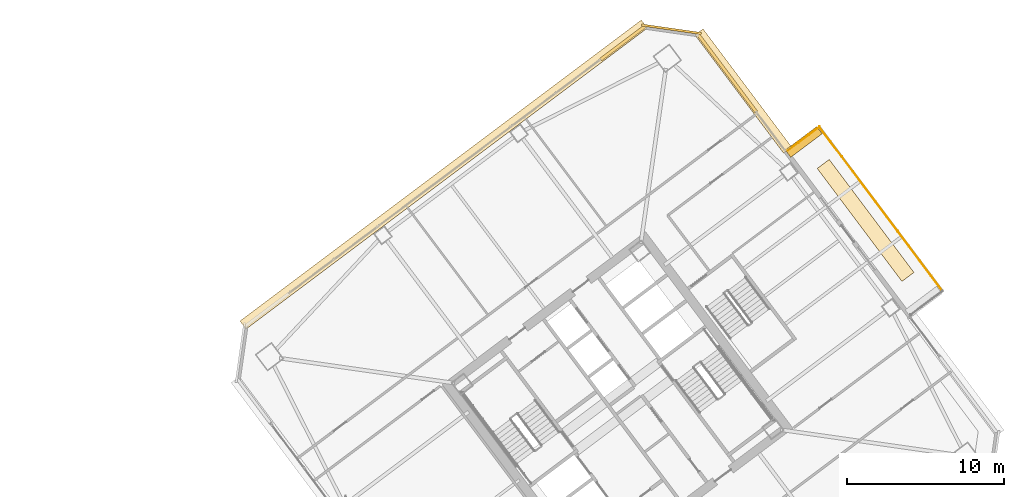
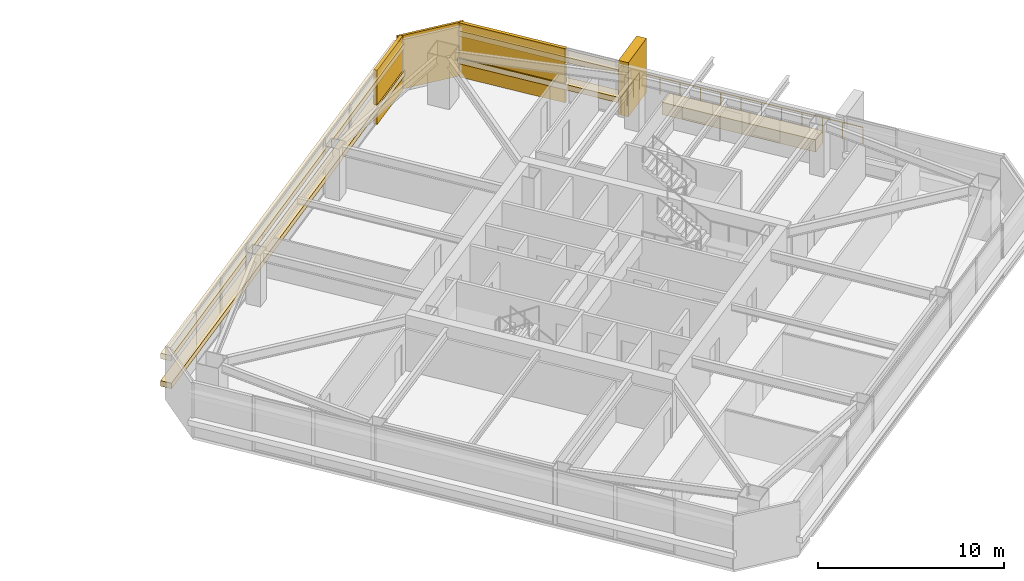
# One storey, part 44 of 44: 9 coverings, 2 railings.
"""IFC4 building model written with IfcOpenShell, lengths in metres."""

import ifcopenshell
import ifcopenshell.guid

model = None  # the IFC model being written
_history = None  # IfcOwnerHistory: only IFC2X3 demands one
_inside = {}  # id of a spatial element -> (the spatial element, [elements in it])
_under = {}  # id of a project, library or spatial element -> (it, [spatial elements below it])
_declared = {}  # id of a project -> (the project, [libraries it declares])
_typed = {}  # id of a type object -> (the type object, [elements of that type])
_made_of = {}  # id of a material, layer set ... -> (it, [elements and type objects made of it])


def new_model(schema):
    """Start an empty IFC model of exactly this schema.

    Asked for "IFC4X3", IfcOpenShell would pick the latest addendum, in which some entities
    have other attributes; the version numbers below select the first issue.
    IFC2X3 requires an IfcOwnerHistory on every rooted entity: one is made here for all.
    """
    global model, _history
    if schema == "IFC4X3":
        model = ifcopenshell.file(schema_version=(4, 3, 0, 0))
    else:
        model = ifcopenshell.file(schema=schema)
    _inside.clear()
    _under.clear()
    _declared.clear()
    _typed.clear()
    _made_of.clear()
    _history = None
    if model.schema == "IFC2X3":
        org = make("IfcOrganization", Name="unknown")
        user = make(
            "IfcPersonAndOrganization",
            ThePerson=make("IfcPerson", FamilyName="unknown"),
            TheOrganization=org,
        )
        app = make(
            "IfcApplication",
            ApplicationDeveloper=org,
            Version="unknown",
            ApplicationFullName="unknown",
            ApplicationIdentifier="unknown",
        )
        _history = make(
            "IfcOwnerHistory",
            OwningUser=user,
            OwningApplication=app,
            ChangeAction="ADDED",
            CreationDate=0,
        )
    return model


def make(cls, **values):
    """One entity of the class cls with the attributes given. An attribute that is None is left unset."""
    return model.create_entity(
        cls, **{name: value for name, value in values.items() if value is not None}
    )


def rooted(cls, **values):
    """An entity with a GlobalId (a new one), such as an element, a storey or a relation."""
    return make(cls, GlobalId=ifcopenshell.guid.new(), OwnerHistory=_history, **values)


def si_unit(unit_type, name, prefix=None):
    """IfcSIUnit, for example si_unit("LENGTHUNIT", "METRE", prefix="MILLI")."""
    return make("IfcSIUnit", UnitType=unit_type, Prefix=prefix, Name=name)


def assignment(units):
    """IfcUnitAssignment: the units of a project."""
    return None if units is None else make("IfcUnitAssignment", Units=units)


def point(xyz):
    """IfcCartesianPoint."""
    return None if xyz is None else make("IfcCartesianPoint", Coordinates=xyz)


def direction(xyz):
    """IfcDirection."""
    return None if xyz is None else make("IfcDirection", DirectionRatios=xyz)


def frame(location, z_axis=None, x_axis=None):
    """IfcAxis2Placement3D, a coordinate frame: its origin and axes. An axis left out is left unset."""
    return make(
        "IfcAxis2Placement3D",
        Location=point(location),
        Axis=direction(z_axis),
        RefDirection=direction(x_axis),
    )


def frame_2d(location, x_axis=None):
    """IfcAxis2Placement2D, a coordinate frame in the plane: its origin and x axis."""
    return make(
        "IfcAxis2Placement2D", Location=point(location), RefDirection=direction(x_axis)
    )


def origin():
    """The frame at (0, 0, 0) with its axes left unset."""
    return frame((0.0, 0.0, 0.0))


def origin_2d():
    """The frame at (0, 0) in the plane with its x axis left unset."""
    return frame_2d((0.0, 0.0))


def place(relative_to, where):
    """IfcLocalPlacement: puts the frame where relative to a parent placement (None: the world)."""
    return make(
        "IfcLocalPlacement", PlacementRelTo=relative_to, RelativePlacement=where
    )


def context(
    kind, dimensions, precision=None, world=None, true_north=None, identifier=None
):
    """IfcGeometricRepresentationContext, for example the 3D "Model" context."""
    return make(
        "IfcGeometricRepresentationContext",
        ContextIdentifier=identifier,
        ContextType=kind,
        CoordinateSpaceDimension=dimensions,
        Precision=precision,
        WorldCoordinateSystem=world,
        TrueNorth=true_north,
    )


def subcontext(parent, identifier, kind, view, scale=None):
    """IfcGeometricRepresentationSubContext, for example "Body" below "Model"."""
    return make(
        "IfcGeometricRepresentationSubContext",
        ContextIdentifier=identifier,
        ContextType=kind,
        ParentContext=parent,
        TargetScale=scale,
        TargetView=view,
    )


def project(units=None, contexts=None):
    """IfcProject with its units and contexts."""
    return rooted(
        "IfcProject",
        Name="project",
        RepresentationContexts=contexts,
        UnitsInContext=assignment(units),
    )


def spatial(cls, under=None, at=None, **own):
    """A site, building, storey or space (cls), placed at a placement, below another one or the project."""
    s = rooted(cls, ObjectPlacement=at, **own)
    if under is not None:
        _under.setdefault(under.id(), (under, []))[1].append(s)
    return s


def profile(cls, at=None, kind="AREA", **sizes):
    """A parametric profile (cls). Its sizes go by their IFC names, for example OverallWidth=200.0."""
    return make(cls, ProfileType=kind, Position=at, **sizes)


def rectangle(**sizes):
    """IfcRectangleProfileDef."""
    return profile("IfcRectangleProfileDef", **sizes)


def extrude(swept, where, along, depth):
    """IfcExtrudedAreaSolid: the profile swept, set in the frame where, extruded along a direction by depth."""
    return make(
        "IfcExtrudedAreaSolid",
        SweptArea=swept,
        Position=where,
        ExtrudedDirection=direction(along),
        Depth=depth,
    )


def shape(context_of_items, identifier, shape_type, items):
    """IfcShapeRepresentation: the items that make up one representation, for example the "Body"."""
    return make(
        "IfcShapeRepresentation",
        ContextOfItems=context_of_items,
        RepresentationIdentifier=identifier,
        RepresentationType=shape_type,
        Items=items,
    )


def material(Name=None, Category=None):
    """IfcMaterial."""
    return make("IfcMaterial", Name=Name, Category=Category)


def layer(
    of_material, thickness, ventilated=None, Name=None, Category=None, Priority=None
):
    """IfcMaterialLayer: one layer of a wall or slab, of a material (None: an air gap)."""
    return make(
        "IfcMaterialLayer",
        Material=of_material,
        LayerThickness=thickness,
        IsVentilated=ventilated,
        Name=Name,
        Category=Category,
        Priority=Priority,
    )


def layer_set(layers, Name=None):
    """IfcMaterialLayerSet."""
    return make("IfcMaterialLayerSet", MaterialLayers=layers, LayerSetName=Name)


def made_of(thing, what):
    """Note that an element or type object is made of a material, layer set ...; save() writes the relation."""
    if what is not None:
        _made_of.setdefault(what.id(), (what, []))[1].append(thing)
    return thing


def type_object(cls, material=None, **own):
    """A type object (cls), such as IfcWallType, which elements share."""
    return made_of(rooted(cls, **own), material)


def element(
    cls,
    number,
    at=None,
    inside=None,
    cuts=None,
    type_object=None,
    material=None,
    context=None,
    identifier="Body",
    shape_type=None,
    held_by="IfcProductDefinitionShape",
    body=None,
    shapes=None,
    **own,
):
    """One element of the class cls, such as IfcWall. Its Tag is "e" and its number.

    at: its placement. inside: the storey or other place that contains it. cuts: it is an
    opening in that element (IfcRelVoidsElement). A single representation is given by context,
    identifier, shape_type and body (its items); several are given by shapes. held_by: the class
    of the entity that holds the representations. save() writes the other relations.
    """
    e = rooted(cls, Tag="e%d" % number, ObjectPlacement=at, **own)
    if body is not None:
        shapes = [shape(context, identifier, shape_type, body)]
    if shapes is not None:
        e.Representation = make(held_by, Representations=shapes)
    if inside is not None:
        _inside.setdefault(inside.id(), (inside, []))[1].append(e)
    if cuts is not None:
        rooted(
            "IfcRelVoidsElement", RelatingBuildingElement=cuts, RelatedOpeningElement=e
        )
    if type_object is not None:
        _typed.setdefault(type_object.id(), (type_object, []))[1].append(e)
    return made_of(e, material)


def aggregate(whole, parts):
    """IfcRelAggregates: a whole, such as a stair, and the parts it consists of."""
    return rooted("IfcRelAggregates", RelatingObject=whole, RelatedObjects=parts)


def save(model, path):
    """Write the relations noted so far, then the file.

    IfcRelAggregates (storeys below a building ...), IfcRelContainedInSpatialStructure (elements
    in a storey), IfcRelDefinesByType, IfcRelAssociatesMaterial and IfcRelDeclares: one each for
    every whole, place, type object, material and project.
    """
    for whole, parts in _under.values():
        aggregate(whole, parts)
    for where, things in _inside.values():
        rooted(
            "IfcRelContainedInSpatialStructure",
            RelatedElements=things,
            RelatingStructure=where,
        )
    for kind, things in _typed.values():
        rooted("IfcRelDefinesByType", RelatedObjects=things, RelatingType=kind)
    for what, things in _made_of.values():
        rooted("IfcRelAssociatesMaterial", RelatedObjects=things, RelatingMaterial=what)
    for by, libraries in _declared.values():
        rooted("IfcRelDeclares", RelatingContext=by, RelatedDefinitions=libraries)
    model.write(path)


model = new_model("IFC4")

# Units and contexts
model_context = context("Model", 3, precision=1e-05, world=origin(), true_north=direction((0.0, 1.0)))
body_context = subcontext(model_context, "Body", "Model", "MODEL_VIEW")
ifc_project = project(units=[si_unit("LENGTHUNIT", "METRE"), si_unit("AREAUNIT", "SQUARE_METRE"), si_unit("VOLUMEUNIT", "CUBIC_METRE"), si_unit("PLANEANGLEUNIT", "RADIAN"), si_unit("MASSUNIT", "GRAM", prefix="KILO")], contexts=[model_context])

# Site, building, storey
site_placement = place(None, origin())
site = spatial("IfcSite", under=ifc_project, at=site_placement, CompositionType="ELEMENT")
building_placement = place(site_placement, origin())
building = spatial("IfcBuilding", under=site, at=building_placement, Name="Tashvorn Skyway Center", CompositionType="ELEMENT")
storey_placement = place(building_placement, frame((0.0, 0.0, 149.89990234375)))
storey = spatial("IfcBuildingStorey", under=building, at=storey_placement, Name="L40", CompositionType="ELEMENT", Elevation=149.89990234375)

# Coverings
ifc_material_1 = material(Name="Precast concrete C40/50", Category="concrete")
ifc_layer_1 = layer(ifc_material_1, 0.199951171875)
ifc_layer_set_1 = layer_set([ifc_layer_1], Name="Precast concrete C40/50")
covering_type_1 = type_object("IfcCoveringType", Name="COV-BRACE-CLAD", PredefinedType="CLADDING", material=ifc_layer_set_1)
covering_1_placement = place(storey_placement, frame((114.324462890625, 55.09326171875, 0.0), z_axis=(0.0, 0.0, 1.0), x_axis=(0.799999996291, 0.600000004945, 0.0)))
element("IfcCovering", 1, at=covering_1_placement, inside=storey, type_object=covering_type_1, Name="Tower 2 L40 North Unitised Curtain Wall Mega-Brace Cladding Band 2", PredefinedType="CLADDING", context=body_context, shape_type="SweptSolid", body=[
    extrude(rectangle(XDim=3.52880859375, YDim=0.199951171875, at=origin_2d()), origin(), (0.0, 0.0, 1.0), 3.550048828125),
])
covering_2_placement = place(storey_placement, frame((120.951904296875, 53.197265625, 0.0), z_axis=(0.0, 0.0, 1.0), x_axis=(0.600000004945, -0.799999996291, 0.0)))
element("IfcCovering", 2, at=covering_2_placement, inside=storey, type_object=covering_type_1, Name="Tower 2 L40 East Curtain Wall L Mega-Brace Cladding Band 1", PredefinedType="CLADDING", context=body_context, shape_type="SweptSolid", body=[
    extrude(rectangle(XDim=6.1865234375, YDim=0.199951171875, at=origin_2d()), origin(), (0.0, 0.0, 1.0), 3.550048828125),
])
ifc_material_2 = material(Name="Perforated ceramic-coated bronze aluminium solar screen", Category="aluminium")
ifc_layer_2 = layer(ifc_material_2, 0.85009765625)
ifc_layer_set_2 = layer_set([ifc_layer_2], Name="Perforated ceramic-coated bronze aluminium solar screen")
covering_type_2 = type_object("IfcCoveringType", Name="COV-SOLAR-BAND", PredefinedType="CLADDING", material=ifc_layer_set_2)
for number, where, z_axis, x_axis, name in (
    (3, (102.947998046875, 46.736083984375, 0.919921875), (0.0, 0.0, 1.0), (0.799999996291, 0.600000004945, 0.0), "L40 Perforated Ceramic-Metal Solar Screen Louvre Band North 1"),
    (4, (102.947998046875, 46.736083984375, 2.72021484375), (0.0, 0.0, 1.0), (0.799999996291, 0.600000004945, 0.0), "L40 Perforated Ceramic-Metal Solar Screen Louvre Band North 2"),
):
    element("IfcCovering", number, at=place(storey_placement, frame(where, z_axis=z_axis, x_axis=x_axis)), inside=storey, type_object=covering_type_2, Name=name, PredefinedType="CLADDING", context=body_context, shape_type="SweptSolid", body=[
        extrude(rectangle(XDim=31.8798828125, YDim=0.639892578125, at=origin_2d()), origin(), (0.0, 0.0, 1.0), 0.360107421875),
    ])
for number, where, z_axis, x_axis, name in (
    (5, (121.991943359375, 52.0439453125, 0.919921875), (0.0, 0.0, 1.0), (0.600000004945, -0.799999996291, 0.0), "L40 Perforated Ceramic-Metal Solar Screen Louvre Band East 1"),
    (6, (121.991943359375, 52.0439453125, 2.72021484375), (0.0, 0.0, 1.0), (0.600000004945, -0.799999996291, 0.0), "L40 Perforated Ceramic-Metal Solar Screen Louvre Band East 2"),
):
    element("IfcCovering", number, at=place(storey_placement, frame(where, z_axis=z_axis, x_axis=x_axis)), inside=storey, type_object=covering_type_2, Name=name, PredefinedType="CLADDING", context=body_context, shape_type="SweptSolid", body=[
        extrude(rectangle(XDim=9.39990234375, YDim=0.639892578125, at=origin_2d()), origin(), (0.0, 0.0, 1.0), 0.360107421875),
    ])
ifc_layer_3 = layer(ifc_material_1, 0.35009765625)
ifc_layer_set_3 = layer_set([ifc_layer_3], Name="Precast concrete C40/50")
covering_type_3 = type_object("IfcCoveringType", Name="COV-STONE-TRIM", PredefinedType="CLADDING", material=ifc_layer_set_3)
covering_3_placement = place(storey_placement, frame((125.830078125, 48.81005859375, 0.0), z_axis=(0.0, 0.0, 1.0), x_axis=(0.600000004945, -0.799999996291, 0.0)))
element("IfcCovering", 7, at=covering_3_placement, inside=storey, type_object=covering_type_3, Name="Tower 2 L40 Sky Garden Loggia Pier L", PredefinedType="CLADDING", context=body_context, shape_type="SweptSolid", body=[
    extrude(rectangle(XDim=0.580078125, YDim=2.5, at=origin_2d()), origin(), (0.0, 0.0, 1.0), 3.550048828125),
])
covering_4_placement = place(storey_placement, frame((129.760009765625, 43.820068359375, 0.0), z_axis=(0.0, 0.0, 1.0), x_axis=(0.600000004945, -0.799999996291, 0.0)))
element("IfcCovering", 8, at=covering_4_placement, inside=storey, type_object=covering_type_3, Name="Tower 2 L40 Sky Garden Stone Planter Bed", PredefinedType="CLADDING", context=body_context, shape_type="SweptSolid", body=[
    extrude(rectangle(XDim=8.97607421875, YDim=0.949951171875, at=origin_2d()), origin(), (0.0, 0.0, 1.0), 0.800048828125),
])
covering_5_placement = place(storey_placement, frame((117.424072265625, 55.968017578125, 0.02001953125), z_axis=(0.0, 0.0, 1.0), x_axis=(0.989949494535, -0.141421350118, 0.0)))
element("IfcCovering", 9, at=covering_5_placement, inside=storey, type_object=covering_type_3, Name="Tower 2 L40 NE Mojave Limestone Corner Quoin", PredefinedType="CLADDING", context=body_context, shape_type="SweptSolid", body=[
    extrude(rectangle(XDim=3.8369140625, YDim=0.139892578125, at=origin_2d()), origin(), (0.0, 0.0, 1.0), 3.510009765625),
])

# Railings
ifc_material_3 = material(Name="Galvanized steel S355", Category="steel")
railing_type = type_object("IfcRailingType", Name="RAIL-GUARD-1120", PredefinedType="GUARDRAIL", material=ifc_material_3)
railing_1_placement = place(storey_placement, frame((134.64794921875, 39.3359375, 0.0)))
element("IfcRailing", 10, at=railing_1_placement, inside=storey, type_object=railing_type, Name="L40 Tower 2 Terrace Guardrail 02", PredefinedType="GUARDRAIL", context=body_context, shape_type="SweptSolid", body=[
    extrude(rectangle(XDim=0.048095703125, YDim=0.048095703125, at=origin_2d()), frame((0.0, 0.0, 1.09619140625), z_axis=(-0.599994008843, 0.800004493333, 0.0), x_axis=(-0.800004493333, -0.599994008843, 0.0)), (0.0, 0.0, 1.0), 13.0400390625),
    extrude(rectangle(XDim=0.0419921875, YDim=0.0419921875, at=origin_2d()), origin(), (0.0, 0.0, 1.0), 1.072021484375),
    extrude(rectangle(XDim=0.0419921875, YDim=0.0419921875, at=origin_2d()), frame((-0.711181640625, 0.948486328125, 0.0)), (0.0, 0.0, 1.0), 1.072021484375),
    extrude(rectangle(XDim=0.0419921875, YDim=0.0419921875, at=origin_2d()), frame((-1.422607421875, 1.896728515625, 0.0)), (0.0, 0.0, 1.0), 1.072021484375),
    extrude(rectangle(XDim=0.0419921875, YDim=0.0419921875, at=origin_2d()), frame((-2.1337890625, 2.84521484375, 0.0)), (0.0, 0.0, 1.0), 1.072021484375),
    extrude(rectangle(XDim=0.0419921875, YDim=0.0419921875, at=origin_2d()), frame((-2.844970703125, 3.79345703125, 0.0)), (0.0, 0.0, 1.0), 1.072021484375),
    extrude(rectangle(XDim=0.0419921875, YDim=0.0419921875, at=origin_2d()), frame((-3.556396484375, 4.741943359375, 0.0)), (0.0, 0.0, 1.0), 1.072021484375),
    extrude(rectangle(XDim=0.0419921875, YDim=0.0419921875, at=origin_2d()), frame((-4.267578125, 5.690185546875, 0.0)), (0.0, 0.0, 1.0), 1.072021484375),
    extrude(rectangle(XDim=0.0419921875, YDim=0.0419921875, at=origin_2d()), frame((-4.97900390625, 6.638671875, 0.0)), (0.0, 0.0, 1.0), 1.072021484375),
    extrude(rectangle(XDim=0.0419921875, YDim=0.0419921875, at=origin_2d()), frame((-5.690185546875, 7.5869140625, 0.0)), (0.0, 0.0, 1.0), 1.072021484375),
    extrude(rectangle(XDim=0.0419921875, YDim=0.0419921875, at=origin_2d()), frame((-6.4013671875, 8.535400390625, 0.0)), (0.0, 0.0, 1.0), 1.072021484375),
    extrude(rectangle(XDim=0.0419921875, YDim=0.0419921875, at=origin_2d()), frame((-7.11279296875, 9.483642578125, 0.0)), (0.0, 0.0, 1.0), 1.072021484375),
    extrude(rectangle(XDim=0.0419921875, YDim=0.0419921875, at=origin_2d()), frame((-7.823974609375, 10.43212890625, 0.0)), (0.0, 0.0, 1.0), 1.072021484375),
])
railing_2_placement = place(storey_placement, frame((126.823974609375, 49.76806640625, 0.0)))
element("IfcRailing", 11, at=railing_2_placement, inside=storey, type_object=railing_type, Name="L40 Tower 2 Terrace Guardrail 03", PredefinedType="GUARDRAIL", context=body_context, shape_type="SweptSolid", body=[
    extrude(rectangle(XDim=0.048095703125, YDim=0.048095703125, at=origin_2d()), frame((0.0, 0.0, 1.09619140625), z_axis=(-0.79998837352, -0.60001550166, 0.0), x_axis=(0.60001550166, -0.79998837352, 0.0)), (0.0, 0.0, 1.0), 2.519775390625),
    extrude(rectangle(XDim=0.0419921875, YDim=0.0419921875, at=origin_2d()), origin(), (0.0, 0.0, 1.0), 1.072021484375),
    extrude(rectangle(XDim=0.0419921875, YDim=0.0419921875, at=origin_2d()), frame((-0.671875, -0.50390625, 0.0)), (0.0, 0.0, 1.0), 1.072021484375),
    extrude(rectangle(XDim=0.0419921875, YDim=0.0419921875, at=origin_2d()), frame((-1.343994140625, -1.008056640625, 0.0)), (0.0, 0.0, 1.0), 1.072021484375),
    extrude(rectangle(XDim=0.0419921875, YDim=0.0419921875, at=origin_2d()), frame((-2.015869140625, -1.511962890625, 0.0)), (0.0, 0.0, 1.0), 1.072021484375),
])

save(model, "model.ifc")
